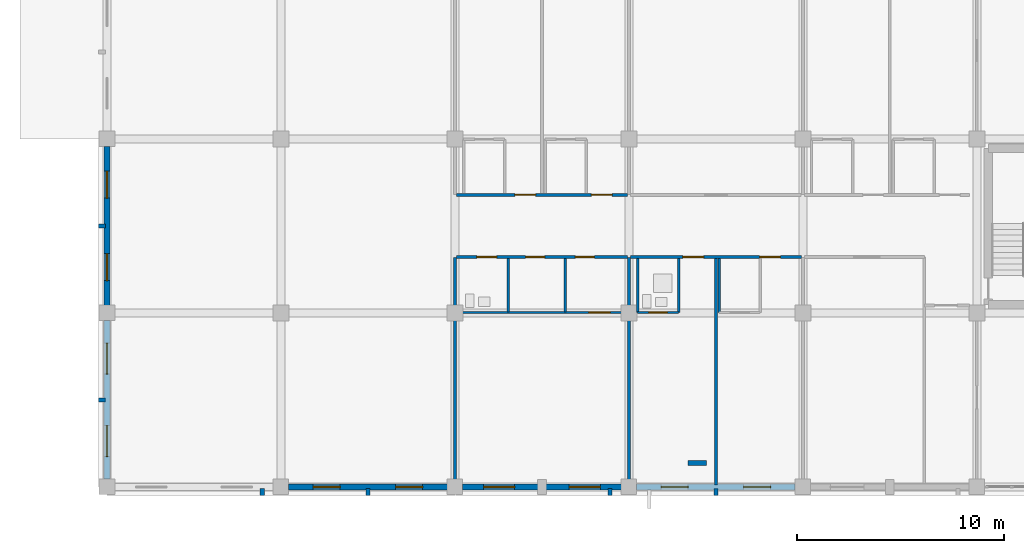
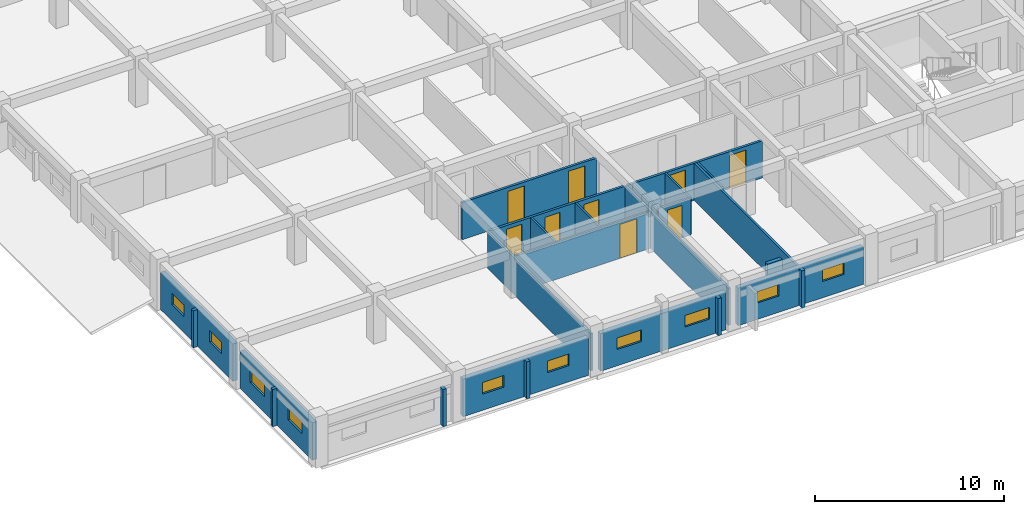
# One storey, part 162 of 200: 25 walls, 10 windows, 9 doors, 19 openings.
"""IFC4 building model written with IfcOpenShell, lengths in metres."""

from ifc_helpers import new_model, si_unit, direction, frame, frame_2d, origin, place, context, subcontext, project, spatial, rectangle, extrude, material, layer, layer_set, type_object, element, fill, save


model = new_model("IFC4")

# Units and contexts
model_context = context("Model", 3, precision=1e-05, world=origin(), true_north=direction((0.0, 1.0)))
body_context = subcontext(model_context, "Body", "Model", "MODEL_VIEW")
ifc_project = project(units=[si_unit("LENGTHUNIT", "METRE"), si_unit("AREAUNIT", "SQUARE_METRE"), si_unit("VOLUMEUNIT", "CUBIC_METRE"), si_unit("PLANEANGLEUNIT", "RADIAN"), si_unit("MASSUNIT", "GRAM", prefix="KILO")], contexts=[model_context])

# Site, building, storey
site_placement = place(None, origin())
site = spatial("IfcSite", under=ifc_project, at=site_placement, CompositionType="ELEMENT")
building_placement = place(site_placement, origin())
building = spatial("IfcBuilding", under=site, at=building_placement, Name="Trelvath General Hospital", CompositionType="ELEMENT")
storey_placement = place(building_placement, frame((0.0, 0.0, 4.800048828125)))
storey = spatial("IfcBuildingStorey", under=building, at=storey_placement, Name="L01", CompositionType="ELEMENT", Elevation=4.800048828125)

# Walls
ifc_material_1 = material(Name="Precast concrete C40/50", Category="concrete")
ifc_layer_1 = layer(ifc_material_1, 0.199951171875)
ifc_layer_set_1 = layer_set([ifc_layer_1], Name="Precast concrete C40/50")
wall_type_1 = type_object("IfcWallType", Name="BriseSoleilRib 200", PredefinedType="ELEMENTEDWALL", material=ifc_layer_set_1)
for number, where, z_axis, x_axis, name in (
    (1, (7.493896484375, -0.074951171875, 0.0), (0.0, 0.0, 1.0), (0.0, -1.0, 0.0), "Precast Concrete Brise-Soleil Rib Fin L01-71"),
    (2, (-0.074951171875, 4.199951171875, 0.0), (0.0, 0.0, 1.0), (-1.0, 0.0, 0.0), "Precast Concrete Brise-Soleil Rib Fin L01-72"),
    (3, (-0.074951171875, 12.60009765625, 0.0), (0.0, 0.0, 1.0), (-1.0, 0.0, 0.0), "Precast Concrete Brise-Soleil Rib Fin L01-73"),
    (4, (12.60009765625, -0.074951171875, 0.0), (0.0, 0.0, 1.0), (0.0, -1.0, 0.0), "Precast Concrete Brise-Soleil Rib Fin L01-85"),
    (5, (24.293701171875, -0.074951171875, 0.0), (0.0, 0.0, 1.0), (0.0, -1.0, 0.0), "Precast Concrete Brise-Soleil Rib Fin L01-87"),
    (6, (29.39990234375, -0.074951171875, 0.0), (0.0, 0.0, 1.0), (0.0, -1.0, 0.0), "Precast Concrete Brise-Soleil Rib Fin L01-89"),
):
    element("IfcWall", number, at=place(storey_placement, frame(where, z_axis=z_axis, x_axis=x_axis)), inside=storey, type_object=wall_type_1, Name=name, PredefinedType="ELEMENTEDWALL", context=body_context, shape_type="SweptSolid", body=[
        extrude(rectangle(XDim=0.340087890625, YDim=0.199951171875, at=frame_2d((0.169921875, 0.0))), origin(), (0.0, 0.0, 1.0), 2.39990234375),
    ])

# Wall, openings, doors
ifc_material_2 = material(Name="Gypsum acoustic steel-stud partition", Category="steel")
ifc_layer_2 = layer(ifc_material_2, 0.14990234375)
ifc_layer_set_2 = layer_set([ifc_layer_2], Name="Gypsum acoustic steel-stud partition")
wall_type_2 = type_object("IfcWallType", Name="ClinicalPartition 150", PredefinedType="PARTITIONING", material=ifc_layer_set_2)
wall_1_placement = place(storey_placement, frame((16.8798828125, 11.10009765625, 0.0), z_axis=(0.0, 0.0, 1.0), x_axis=(1.0, 0.0, 0.0)))
wall_1 = element("IfcWall", 7, at=wall_1_placement, inside=storey, type_object=wall_type_2, Name="Corridor Partition L01-348", PredefinedType="PARTITIONING", context=body_context, shape_type="SweptSolid", body=[
    extrude(rectangle(XDim=8.240234375, YDim=0.14990234375, at=frame_2d((4.1201171875, 0.0))), origin(), (0.0, 0.0, 1.0), 2.39990234375),
])
opening_1_placement = place(wall_1_placement, frame((0.97998046875, 0.0, 0.0)))
opening_1 = element("IfcOpeningElement", 8, at=opening_1_placement, cuts=wall_1, Name="Opening D-1-0458", PredefinedType="OPENING", context=body_context, shape_type="SweptSolid", body=[
    extrude(rectangle(XDim=0.949951171875, YDim=2.14990234375, at=frame_2d((0.47509765625, 1.074951171875))), frame((0.0, 0.0849609375, 0.0), z_axis=(0.0, -1.0, 0.0), x_axis=(1.0, 0.0, 0.0)), (0.0, 0.0, 1.0), 0.169921875),
])
opening_2_placement = place(wall_1_placement, frame((3.330078125, 0.0, 0.0)))
opening_2 = element("IfcOpeningElement", 9, at=opening_2_placement, cuts=wall_1, Name="Opening D-1-0459", PredefinedType="OPENING", context=body_context, shape_type="SweptSolid", body=[
    extrude(rectangle(XDim=0.919921875, YDim=2.10009765625, at=frame_2d((0.4599609375, 1.050048828125))), frame((0.0, 0.0849609375, 0.0), z_axis=(0.0, -1.0, 0.0), x_axis=(1.0, 0.0, 0.0)), (0.0, 0.0, 1.0), 0.169921875),
])
opening_3_placement = place(wall_1_placement, frame((5.72998046875, 0.0, 0.0)))
opening_3 = element("IfcOpeningElement", 10, at=opening_3_placement, cuts=wall_1, Name="Opening D-1-0460", PredefinedType="OPENING", context=body_context, shape_type="SweptSolid", body=[
    extrude(rectangle(XDim=0.919921875, YDim=2.10009765625, at=frame_2d((0.4599609375, 1.050048828125))), frame((0.0, 0.0849609375, 0.0), z_axis=(0.0, -1.0, 0.0), x_axis=(1.0, 0.0, 0.0)), (0.0, 0.0, 1.0), 0.169921875),
])
ifc_material_3 = material(Name="Moisture-sealed timber leaf", Category="wood")
door_type_1 = type_object("IfcDoorType", Name="Door AccessibleWC 950x2150", OperationType="NOTDEFINED", PredefinedType="DOOR", material=ifc_material_3)
door_1_placement = place(opening_1_placement, origin())
door_1 = element("IfcDoor", 11, at=door_1_placement, inside=storey, type_object=door_type_1, Name="Accessible WC Door L01-458", OperationType="SINGLE_SWING_LEFT", OverallHeight=2.14990234375, OverallWidth=0.949951171875, PredefinedType="DOOR", context=body_context, shape_type="SweptSolid", body=[
    extrude(rectangle(XDim=0.949951171875, YDim=2.14990234375, at=frame_2d((0.47509765625, 1.074951171875))), frame((0.0, 0.02490234375, 0.0), z_axis=(0.0, -1.0, 0.0), x_axis=(1.0, 0.0, 0.0)), (0.0, 0.0, 1.0), 0.050048828125),
])
fill(opening_1, door_1)
ifc_material_4 = material(Name="Moisture-sealed timber leaf", Category="wood")
door_type_2 = type_object("IfcDoorType", Name="Door StaffWC 920x2100", OperationType="NOTDEFINED", PredefinedType="DOOR", material=ifc_material_4)
door_2_placement = place(opening_2_placement, origin())
door_2 = element("IfcDoor", 12, at=door_2_placement, inside=storey, type_object=door_type_2, Name="Public WC Door L01-459", OperationType="SINGLE_SWING_RIGHT", OverallHeight=2.10009765625, OverallWidth=0.919921875, PredefinedType="DOOR", context=body_context, shape_type="SweptSolid", body=[
    extrude(rectangle(XDim=0.919921875, YDim=2.10009765625, at=frame_2d((0.4599609375, 1.050048828125))), frame((0.0, 0.02490234375, 0.0), z_axis=(0.0, -1.0, 0.0), x_axis=(1.0, 0.0, 0.0)), (0.0, 0.0, 1.0), 0.050048828125),
])
fill(opening_2, door_2)
door_3_placement = place(opening_3_placement, origin())
door_3 = element("IfcDoor", 13, at=door_3_placement, inside=storey, type_object=door_type_2, Name="Staff WC Door L01-460", OperationType="SINGLE_SWING_LEFT", OverallHeight=2.10009765625, OverallWidth=0.919921875, PredefinedType="DOOR", context=body_context, shape_type="SweptSolid", body=[
    extrude(rectangle(XDim=0.919921875, YDim=2.10009765625, at=frame_2d((0.4599609375, 1.050048828125))), frame((0.0, 0.02490234375, 0.0), z_axis=(0.0, -1.0, 0.0), x_axis=(1.0, 0.0, 0.0)), (0.0, 0.0, 1.0), 0.050048828125),
])
fill(opening_3, door_3)

wall_2_placement = place(storey_placement, frame((25.1201171875, 14.10009765625, 0.0), z_axis=(0.0, 0.0, 1.0), x_axis=(-1.0, 0.0, 0.0)))
wall_2 = element("IfcWall", 14, at=wall_2_placement, inside=storey, type_object=wall_type_2, Name="Corridor Partition N L01-352", PredefinedType="PARTITIONING", context=body_context, shape_type="SweptSolid", body=[
    extrude(rectangle(XDim=8.240234375, YDim=0.14990234375, at=frame_2d((4.1201171875, 0.0))), origin(), (0.0, 0.0, 1.0), 2.39990234375),
])
opening_4_placement = place(wall_2_placement, frame((0.72998046875, 0.0, 0.0)))
opening_4 = element("IfcOpeningElement", 15, at=opening_4_placement, cuts=wall_2, Name="Opening D-1-0462", PredefinedType="OPENING", context=body_context, shape_type="SweptSolid", body=[
    extrude(rectangle(XDim=1.0, YDim=2.14990234375, at=frame_2d((0.5, 1.074951171875))), frame((0.0, 0.0849609375, 0.0), z_axis=(0.0, -1.0, 0.0), x_axis=(1.0, 0.0, 0.0)), (0.0, 0.0, 1.0), 0.169921875),
])
opening_5_placement = place(wall_2_placement, frame((4.429931640625, 0.0, 0.0)))
opening_5 = element("IfcOpeningElement", 16, at=opening_5_placement, cuts=wall_2, Name="Opening D-1-0463", PredefinedType="OPENING", context=body_context, shape_type="SweptSolid", body=[
    extrude(rectangle(XDim=1.0, YDim=2.14990234375, at=frame_2d((0.5, 1.074951171875))), frame((0.0, 0.0849609375, 0.0), z_axis=(0.0, -1.0, 0.0), x_axis=(1.0, 0.0, 0.0)), (0.0, 0.0, 1.0), 0.169921875),
])
ifc_material_5 = material(Name="Acoustic hospital timber leaf", Category="wood")
door_type_3 = type_object("IfcDoorType", Name="Door Consult 1000x2150", OperationType="NOTDEFINED", PredefinedType="DOOR", material=ifc_material_5)
door_4_placement = place(opening_4_placement, origin())
door_4 = element("IfcDoor", 17, at=door_4_placement, inside=storey, type_object=door_type_3, Name="Patient Room Door N L01-462", OperationType="SINGLE_SWING_LEFT", OverallHeight=2.14990234375, OverallWidth=1.0, PredefinedType="DOOR", context=body_context, shape_type="SweptSolid", body=[
    extrude(rectangle(XDim=1.0, YDim=2.14990234375, at=frame_2d((0.5, 1.074951171875))), frame((0.0, 0.02490234375, 0.0), z_axis=(0.0, -1.0, 0.0), x_axis=(1.0, 0.0, 0.0)), (0.0, 0.0, 1.0), 0.050048828125),
])
fill(opening_4, door_4)
door_5_placement = place(opening_5_placement, origin())
door_5 = element("IfcDoor", 18, at=door_5_placement, inside=storey, type_object=door_type_3, Name="Patient Room Door N L01-463", OperationType="SINGLE_SWING_LEFT", OverallHeight=2.14990234375, OverallWidth=1.0, PredefinedType="DOOR", context=body_context, shape_type="SweptSolid", body=[
    extrude(rectangle(XDim=1.0, YDim=2.14990234375, at=frame_2d((0.5, 1.074951171875))), frame((0.0, 0.02490234375, 0.0), z_axis=(0.0, -1.0, 0.0), x_axis=(1.0, 0.0, 0.0)), (0.0, 0.0, 1.0), 0.050048828125),
])
fill(opening_5, door_5)

wall_3_placement = place(storey_placement, frame((25.280029296875, 11.10009765625, 0.0), z_axis=(0.0, 0.0, 1.0), x_axis=(1.0, 0.0, 0.0)))
wall_3 = element("IfcWall", 19, at=wall_3_placement, inside=storey, type_object=wall_type_2, Name="Corridor Partition L01-362", PredefinedType="PARTITIONING", context=body_context, shape_type="SweptSolid", body=[
    extrude(rectangle(XDim=8.239990234375, YDim=0.14990234375, at=frame_2d((4.1201171875, 0.0))), origin(), (0.0, 0.0, 1.0), 2.39990234375),
])
opening_6_placement = place(wall_3_placement, frame((2.530029296875, 0.0, 0.0)))
opening_6 = element("IfcOpeningElement", 20, at=opening_6_placement, cuts=wall_3, Name="Opening D-1-0466", PredefinedType="OPENING", context=body_context, shape_type="SweptSolid", body=[
    extrude(rectangle(XDim=1.0, YDim=2.14990234375, at=frame_2d((0.5, 1.074951171875))), frame((0.0, 0.0849609375, 0.0), z_axis=(0.0, -1.0, 0.0), x_axis=(1.0, 0.0, 0.0)), (0.0, 0.0, 1.0), 0.169921875),
])
opening_7_placement = place(wall_3_placement, frame((6.22998046875, 0.0, 0.0)))
opening_7 = element("IfcOpeningElement", 21, at=opening_7_placement, cuts=wall_3, Name="Opening D-1-0467", PredefinedType="OPENING", context=body_context, shape_type="SweptSolid", body=[
    extrude(rectangle(XDim=1.0, YDim=2.14990234375, at=frame_2d((0.5, 1.074951171875))), frame((0.0, 0.0849609375, 0.0), z_axis=(0.0, -1.0, 0.0), x_axis=(1.0, 0.0, 0.0)), (0.0, 0.0, 1.0), 0.169921875),
])
door_6_placement = place(opening_6_placement, origin())
door_6 = element("IfcDoor", 22, at=door_6_placement, inside=storey, type_object=door_type_3, Name="Patient Room Door L01-466", OperationType="SINGLE_SWING_RIGHT", OverallHeight=2.14990234375, OverallWidth=1.0, PredefinedType="DOOR", context=body_context, shape_type="SweptSolid", body=[
    extrude(rectangle(XDim=1.0, YDim=2.14990234375, at=frame_2d((0.5, 1.074951171875))), frame((0.0, 0.02490234375, 0.0), z_axis=(0.0, -1.0, 0.0), x_axis=(1.0, 0.0, 0.0)), (0.0, 0.0, 1.0), 0.050048828125),
])
fill(opening_6, door_6)
door_7_placement = place(opening_7_placement, origin())
door_7 = element("IfcDoor", 23, at=door_7_placement, inside=storey, type_object=door_type_3, Name="Patient Room Door L01-467", OperationType="SINGLE_SWING_LEFT", OverallHeight=2.14990234375, OverallWidth=1.0, PredefinedType="DOOR", context=body_context, shape_type="SweptSolid", body=[
    extrude(rectangle(XDim=1.0, YDim=2.14990234375, at=frame_2d((0.5, 1.074951171875))), frame((0.0, 0.02490234375, 0.0), z_axis=(0.0, -1.0, 0.0), x_axis=(1.0, 0.0, 0.0)), (0.0, 0.0, 1.0), 0.050048828125),
])
fill(opening_7, door_7)

# Walls
ifc_material_6 = material(Name="Moisture-resistant tile partition")
ifc_layer_3 = layer(ifc_material_6, 0.110107421875)
ifc_layer_set_3 = layer_set([ifc_layer_3], Name="Moisture-resistant tile partition")
wall_type_3 = type_object("IfcWallType", Name="EnSuiteWetWall 110", PredefinedType="PARTITIONING", material=ifc_layer_set_3)
for number, where, z_axis, x_axis, name in (
    (24, (19.3798828125, 8.43994140625, 0.0), (0.0, 0.0, 1.0), (0.0, 1.0, 0.0), "WC Dividing Wall L01-349"),
    (25, (22.1201171875, 8.43994140625, 0.0), (0.0, 0.0, 1.0), (0.0, 1.0, 0.0), "WC Dividing Wall L01-350"),
):
    element("IfcWall", number, at=place(storey_placement, frame(where, z_axis=z_axis, x_axis=x_axis)), inside=storey, type_object=wall_type_3, Name=name, PredefinedType="PARTITIONING", context=body_context, shape_type="SweptSolid", body=[
        extrude(rectangle(XDim=2.590087890625, YDim=0.110107421875, at=frame_2d((1.294921875, 0.0))), origin(), (0.0, 0.0, 1.0), 2.39990234375),
    ])

# Wall, opening, door
wall_4_placement = place(storey_placement, frame((16.8798828125, 8.419921875, 0.0), z_axis=(0.0, 0.0, 1.0), x_axis=(1.0, 0.0, 0.0)))
wall_4 = element("IfcWall", 26, at=wall_4_placement, inside=storey, type_object=wall_type_3, Name="Nurse Station Partition L01-351", PredefinedType="PARTITIONING", context=body_context, shape_type="SweptSolid", body=[
    extrude(rectangle(XDim=8.240234375, YDim=0.110107421875, at=frame_2d((4.1201171875, 0.0))), origin(), (0.0, 0.0, 1.0), 2.39990234375),
])
opening_8_placement = place(wall_4_placement, frame((6.3798828125, 0.0, 0.0)))
opening_8 = element("IfcOpeningElement", 27, at=opening_8_placement, cuts=wall_4, Name="Opening D-1-0461", PredefinedType="OPENING", context=body_context, shape_type="SweptSolid", body=[
    extrude(rectangle(XDim=1.050048828125, YDim=2.199951171875, at=frame_2d((0.52490234375, 1.10009765625))), frame((0.0, 0.06494140625, 0.0), z_axis=(0.0, -1.0, 0.0), x_axis=(1.0, 0.0, 0.0)), (0.0, 0.0, 1.0), 0.130126953125),
])
ifc_material_7 = material(Name="Acoustic hospital timber leaf", Category="wood")
door_type_4 = type_object("IfcDoorType", Name="Door Consult 1050x2200", OperationType="NOTDEFINED", PredefinedType="DOOR", material=ifc_material_7)
door_8_placement = place(opening_8_placement, origin())
door_8 = element("IfcDoor", 28, at=door_8_placement, inside=storey, type_object=door_type_4, Name="Nurse Station Door L01-461", OperationType="SINGLE_SWING_RIGHT", OverallHeight=2.199951171875, OverallWidth=1.050048828125, PredefinedType="DOOR", context=body_context, shape_type="SweptSolid", body=[
    extrude(rectangle(XDim=1.050048828125, YDim=2.199951171875, at=frame_2d((0.52490234375, 1.10009765625))), frame((0.0, 0.02490234375, 0.0), z_axis=(0.0, -1.0, 0.0), x_axis=(1.0, 0.0, 0.0)), (0.0, 0.0, 1.0), 0.050048828125),
])
fill(opening_8, door_8)

# Walls
for number, where, z_axis, x_axis, name in (
    (29, (25.6201171875, 8.419921875, 0.0), (0.0, 0.0, 1.0), (0.0, 1.0, 0.0), "En-Suite W Wall L01-364"),
    (30, (27.60009765625, 8.419921875, 0.0), (0.0, 0.0, 1.0), (0.0, 1.0, 0.0), "En-Suite E Wall L01-365"),
):
    element("IfcWall", number, at=place(storey_placement, frame(where, z_axis=z_axis, x_axis=x_axis)), inside=storey, type_object=wall_type_3, Name=name, PredefinedType="PARTITIONING", context=body_context, shape_type="SweptSolid", body=[
        extrude(rectangle(XDim=2.610107421875, YDim=0.110107421875, at=frame_2d((1.30517578125, 0.0))), origin(), (0.0, 0.0, 1.0), 2.39990234375),
    ])

# Wall, opening, door
wall_5_placement = place(storey_placement, frame((25.6201171875, 8.419921875, 0.0), z_axis=(0.0, 0.0, 1.0), x_axis=(1.0, 0.0, 0.0)))
wall_5 = element("IfcWall", 31, at=wall_5_placement, inside=storey, type_object=wall_type_3, Name="En-Suite Bathroom Partition L01-366", PredefinedType="PARTITIONING", context=body_context, shape_type="SweptSolid", body=[
    extrude(rectangle(XDim=1.97998046875, YDim=0.110107421875, at=frame_2d((0.989990234375, 0.0))), origin(), (0.0, 0.0, 1.0), 2.39990234375),
])
opening_9_placement = place(wall_5_placement, frame((0.5400390625, 0.0, 0.0)))
opening_9 = element("IfcOpeningElement", 32, at=opening_9_placement, cuts=wall_5, Name="Opening D-1-0468", PredefinedType="OPENING", context=body_context, shape_type="SweptSolid", body=[
    extrude(rectangle(XDim=0.89990234375, YDim=2.10009765625, at=frame_2d((0.449951171875, 1.050048828125))), frame((0.0, 0.06494140625, 0.0), z_axis=(0.0, -1.0, 0.0), x_axis=(1.0, 0.0, 0.0)), (0.0, 0.0, 1.0), 0.130126953125),
])
ifc_material_8 = material(Name="Moisture-sealed timber leaf", Category="wood")
door_type_5 = type_object("IfcDoorType", Name="Door EnSuite 900x2100", OperationType="NOTDEFINED", PredefinedType="DOOR", material=ifc_material_8)
door_9_placement = place(opening_9_placement, origin())
door_9 = element("IfcDoor", 33, at=door_9_placement, inside=storey, type_object=door_type_5, Name="En-Suite Bathroom Door L01-468", OperationType="SINGLE_SWING_RIGHT", OverallHeight=2.10009765625, OverallWidth=0.89990234375, PredefinedType="DOOR", context=body_context, shape_type="SweptSolid", body=[
    extrude(rectangle(XDim=0.89990234375, YDim=2.10009765625, at=frame_2d((0.449951171875, 1.050048828125))), frame((0.0, 0.02490234375, 0.0), z_axis=(0.0, -1.0, 0.0), x_axis=(1.0, 0.0, 0.0)), (0.0, 0.0, 1.0), 0.050048828125),
])
fill(opening_9, door_9)

# Wall
wall_6_placement = place(storey_placement, frame((29.56005859375, 8.419921875, 0.0), z_axis=(0.0, 0.0, 1.0), x_axis=(0.0, 1.0, 0.0)))
element("IfcWall", 34, at=wall_6_placement, inside=storey, type_object=wall_type_3, Name="En-Suite W Wall L01-367", PredefinedType="PARTITIONING", context=body_context, shape_type="SweptSolid", body=[
    extrude(rectangle(XDim=2.610107421875, YDim=0.110107421875, at=frame_2d((1.30517578125, 0.0))), origin(), (0.0, 0.0, 1.0), 2.39990234375),
])

# Wall, openings, windows
ifc_material_9 = material(Name="Concrete C35/45", Category="concrete")
ifc_layer_4 = layer(ifc_material_9, 0.2900390625)
ifc_layer_set_4 = layer_set([ifc_layer_4], Name="Concrete C35/45")
wall_type_4 = type_object("IfcWallType", Name="ExtBushHammeredWall 290", PredefinedType="SOLIDWALL", material=ifc_layer_set_4)
wall_7_placement = place(storey_placement, frame((0.0, 0.3701171875, 0.0), z_axis=(0.0, 0.0, 1.0), x_axis=(0.0, 1.0, 0.0)))
wall_7 = element("IfcWall", 35, at=wall_7_placement, inside=storey, type_object=wall_type_4, Name="Exterior Concrete Wall L01-109", PredefinedType="SOLIDWALL", context=body_context, shape_type="SweptSolid", body=[
    extrude(rectangle(XDim=7.659912109375, YDim=0.2900390625, at=frame_2d((3.830078125, 0.0))), origin(), (0.0, 0.0, 1.0), 2.419921875),
])
opening_10_placement = place(wall_7_placement, frame((1.08837890625, 0.0, 1.050048828125)))
opening_10 = element("IfcOpeningElement", 36, at=opening_10_placement, cuts=wall_7, Name="Opening WN-1-151", PredefinedType="OPENING", context=body_context, shape_type="SweptSolid", body=[
    extrude(rectangle(XDim=1.5, YDim=0.75, at=frame_2d((0.75, 0.375))), frame((0.0, 0.155029296875, 0.0), z_axis=(0.0, -1.0, 0.0), x_axis=(1.0, 0.0, 0.0)), (0.0, 0.0, 1.0), 0.31005859375),
])
opening_11_placement = place(wall_7_placement, frame((5.071533203125, 0.0, 1.050048828125)))
opening_11 = element("IfcOpeningElement", 37, at=opening_11_placement, cuts=wall_7, Name="Opening WN-1-152", PredefinedType="OPENING", context=body_context, shape_type="SweptSolid", body=[
    extrude(rectangle(XDim=1.5, YDim=0.75, at=frame_2d((0.75, 0.375))), frame((0.0, 0.155029296875, 0.0), z_axis=(0.0, -1.0, 0.0), x_axis=(1.0, 0.0, 0.0)), (0.0, 0.0, 1.0), 0.31005859375),
])
ifc_material_10 = material(Name="Low-E laminated glass", Category="glass")
window_type_1 = type_object("IfcWindowType", Name="Window InterstitialVent 1500x750", PartitioningType="DOUBLE_PANEL_HORIZONTAL", PredefinedType="WINDOW", material=ifc_material_10)
window_1_placement = place(opening_10_placement, origin())
window_1 = element("IfcWindow", 38, at=window_1_placement, inside=storey, type_object=window_type_1, Name="Solar Reveal Window L01-151", OverallHeight=0.75, OverallWidth=1.5, PartitioningType="SINGLE_PANEL", PredefinedType="WINDOW", context=body_context, shape_type="SweptSolid", body=[
    extrude(rectangle(XDim=1.5, YDim=0.75, at=frame_2d((0.75, 0.375))), frame((0.0, 0.030029296875, 0.0), z_axis=(0.0, -1.0, 0.0), x_axis=(1.0, 0.0, 0.0)), (0.0, 0.0, 1.0), 0.06005859375),
])
fill(opening_10, window_1)
window_2_placement = place(opening_11_placement, origin())
window_2 = element("IfcWindow", 39, at=window_2_placement, inside=storey, type_object=window_type_1, Name="Solar Reveal Window L01-152", OverallHeight=0.75, OverallWidth=1.5, PartitioningType="SINGLE_PANEL", PredefinedType="WINDOW", context=body_context, shape_type="SweptSolid", body=[
    extrude(rectangle(XDim=1.5, YDim=0.75, at=frame_2d((0.75, 0.375))), frame((0.0, 0.030029296875, 0.0), z_axis=(0.0, -1.0, 0.0), x_axis=(1.0, 0.0, 0.0)), (0.0, 0.0, 1.0), 0.06005859375),
])
fill(opening_11, window_2)

wall_8_placement = place(storey_placement, frame((0.0, 8.77001953125, 0.0), z_axis=(0.0, 0.0, 1.0), x_axis=(0.0, 1.0, 0.0)))
wall_8 = element("IfcWall", 40, at=wall_8_placement, inside=storey, type_object=wall_type_4, Name="Exterior Concrete Wall L01-110", PredefinedType="SOLIDWALL", context=body_context, shape_type="SweptSolid", body=[
    extrude(rectangle(XDim=7.659912109375, YDim=0.2900390625, at=frame_2d((3.830078125, 0.0))), origin(), (0.0, 0.0, 1.0), 2.419921875),
])
opening_12_placement = place(wall_8_placement, frame((1.1884765625, 0.0, 1.050048828125)))
opening_12 = element("IfcOpeningElement", 41, at=opening_12_placement, cuts=wall_8, Name="Opening WN-1-153", PredefinedType="OPENING", context=body_context, shape_type="SweptSolid", body=[
    extrude(rectangle(XDim=1.300048828125, YDim=0.75, at=frame_2d((0.64990234375, 0.375))), frame((0.0, 0.155029296875, 0.0), z_axis=(0.0, -1.0, 0.0), x_axis=(1.0, 0.0, 0.0)), (0.0, 0.0, 1.0), 0.31005859375),
])
opening_13_placement = place(wall_8_placement, frame((5.171630859375, 0.0, 1.050048828125)))
opening_13 = element("IfcOpeningElement", 42, at=opening_13_placement, cuts=wall_8, Name="Opening WN-1-154", PredefinedType="OPENING", context=body_context, shape_type="SweptSolid", body=[
    extrude(rectangle(XDim=1.300048828125, YDim=0.75, at=frame_2d((0.64990234375, 0.375))), frame((0.0, 0.155029296875, 0.0), z_axis=(0.0, -1.0, 0.0), x_axis=(1.0, 0.0, 0.0)), (0.0, 0.0, 1.0), 0.31005859375),
])
ifc_material_11 = material(Name="Low-E laminated glass", Category="glass")
window_type_2 = type_object("IfcWindowType", Name="Window InterstitialVent 1300x750", PartitioningType="DOUBLE_PANEL_HORIZONTAL", PredefinedType="WINDOW", material=ifc_material_11)
window_3_placement = place(opening_12_placement, origin())
window_3 = element("IfcWindow", 43, at=window_3_placement, inside=storey, type_object=window_type_2, Name="Solar Reveal Window L01-153", OverallHeight=0.75, OverallWidth=1.300048828125, PartitioningType="SINGLE_PANEL", PredefinedType="WINDOW", context=body_context, shape_type="SweptSolid", body=[
    extrude(rectangle(XDim=1.300048828125, YDim=0.75, at=frame_2d((0.64990234375, 0.375))), frame((0.0, 0.030029296875, 0.0), z_axis=(0.0, -1.0, 0.0), x_axis=(1.0, 0.0, 0.0)), (0.0, 0.0, 1.0), 0.06005859375),
])
fill(opening_12, window_3)
window_4_placement = place(opening_13_placement, origin())
window_4 = element("IfcWindow", 44, at=window_4_placement, inside=storey, type_object=window_type_2, Name="Solar Reveal Window L01-154", OverallHeight=0.75, OverallWidth=1.300048828125, PartitioningType="SINGLE_PANEL", PredefinedType="WINDOW", context=body_context, shape_type="SweptSolid", body=[
    extrude(rectangle(XDim=1.300048828125, YDim=0.75, at=frame_2d((0.64990234375, 0.375))), frame((0.0, 0.030029296875, 0.0), z_axis=(0.0, -1.0, 0.0), x_axis=(1.0, 0.0, 0.0)), (0.0, 0.0, 1.0), 0.06005859375),
])
fill(opening_13, window_4)

wall_9_placement = place(storey_placement, frame((16.429931640625, 0.0, 0.0), z_axis=(0.0, 0.0, 1.0), x_axis=(-1.0, 0.0, 0.0)))
wall_9 = element("IfcWall", 45, at=wall_9_placement, inside=storey, type_object=wall_type_4, Name="Exterior Concrete Wall L01-124", PredefinedType="SOLIDWALL", context=body_context, shape_type="SweptSolid", body=[
    extrude(rectangle(XDim=7.659912109375, YDim=0.2900390625, at=frame_2d((3.830078125, 0.0))), origin(), (0.0, 0.0, 1.0), 2.419921875),
])
opening_14_placement = place(wall_9_placement, frame((1.1884765625, 0.0, 1.050048828125)))
opening_14 = element("IfcOpeningElement", 46, at=opening_14_placement, cuts=wall_9, Name="Opening WN-1-177", PredefinedType="OPENING", context=body_context, shape_type="SweptSolid", body=[
    extrude(rectangle(XDim=1.300048828125, YDim=0.75, at=frame_2d((0.64990234375, 0.375))), frame((0.0, 0.155029296875, 0.0), z_axis=(0.0, -1.0, 0.0), x_axis=(1.0, 0.0, 0.0)), (0.0, 0.0, 1.0), 0.31005859375),
])
opening_15_placement = place(wall_9_placement, frame((5.171630859375, 0.0, 1.050048828125)))
opening_15 = element("IfcOpeningElement", 47, at=opening_15_placement, cuts=wall_9, Name="Opening WN-1-178", PredefinedType="OPENING", context=body_context, shape_type="SweptSolid", body=[
    extrude(rectangle(XDim=1.300048828125, YDim=0.75, at=frame_2d((0.64990234375, 0.375))), frame((0.0, 0.155029296875, 0.0), z_axis=(0.0, -1.0, 0.0), x_axis=(1.0, 0.0, 0.0)), (0.0, 0.0, 1.0), 0.31005859375),
])
window_5_placement = place(opening_14_placement, origin())
window_5 = element("IfcWindow", 48, at=window_5_placement, inside=storey, type_object=window_type_2, Name="Solar Reveal Window L01-177", OverallHeight=0.75, OverallWidth=1.300048828125, PartitioningType="SINGLE_PANEL", PredefinedType="WINDOW", context=body_context, shape_type="SweptSolid", body=[
    extrude(rectangle(XDim=1.300048828125, YDim=0.75, at=frame_2d((0.64990234375, 0.375))), frame((0.0, 0.030029296875, 0.0), z_axis=(0.0, -1.0, 0.0), x_axis=(1.0, 0.0, 0.0)), (0.0, 0.0, 1.0), 0.06005859375),
])
fill(opening_14, window_5)
window_6_placement = place(opening_15_placement, origin())
window_6 = element("IfcWindow", 49, at=window_6_placement, inside=storey, type_object=window_type_2, Name="Solar Reveal Window L01-178", OverallHeight=0.75, OverallWidth=1.300048828125, PartitioningType="SINGLE_PANEL", PredefinedType="WINDOW", context=body_context, shape_type="SweptSolid", body=[
    extrude(rectangle(XDim=1.300048828125, YDim=0.75, at=frame_2d((0.64990234375, 0.375))), frame((0.0, 0.030029296875, 0.0), z_axis=(0.0, -1.0, 0.0), x_axis=(1.0, 0.0, 0.0)), (0.0, 0.0, 1.0), 0.06005859375),
])
fill(opening_15, window_6)

wall_10_placement = place(storey_placement, frame((24.830078125, 0.0, 0.0), z_axis=(0.0, 0.0, 1.0), x_axis=(-1.0, 0.0, 0.0)))
wall_10 = element("IfcWall", 50, at=wall_10_placement, inside=storey, type_object=wall_type_4, Name="Exterior Concrete Wall L01-126", PredefinedType="SOLIDWALL", context=body_context, shape_type="SweptSolid", body=[
    extrude(rectangle(XDim=7.66015625, YDim=0.2900390625, at=frame_2d((3.830078125, 0.0))), origin(), (0.0, 0.0, 1.0), 2.419921875),
])
opening_16_placement = place(wall_10_placement, frame((1.01171875, 0.0, 1.050048828125)))
opening_16 = element("IfcOpeningElement", 51, at=opening_16_placement, cuts=wall_10, Name="Opening WN-1-181", PredefinedType="OPENING", context=body_context, shape_type="SweptSolid", body=[
    extrude(rectangle(XDim=1.5, YDim=0.75, at=frame_2d((0.75, 0.375))), frame((0.0, 0.155029296875, 0.0), z_axis=(0.0, -1.0, 0.0), x_axis=(1.0, 0.0, 0.0)), (0.0, 0.0, 1.0), 0.31005859375),
])
opening_17_placement = place(wall_10_placement, frame((5.148193359375, 0.0, 1.050048828125)))
opening_17 = element("IfcOpeningElement", 52, at=opening_17_placement, cuts=wall_10, Name="Opening WN-1-182", PredefinedType="OPENING", context=body_context, shape_type="SweptSolid", body=[
    extrude(rectangle(XDim=1.5, YDim=0.75, at=frame_2d((0.75, 0.375))), frame((0.0, 0.155029296875, 0.0), z_axis=(0.0, -1.0, 0.0), x_axis=(1.0, 0.0, 0.0)), (0.0, 0.0, 1.0), 0.31005859375),
])
window_7_placement = place(opening_16_placement, origin())
window_7 = element("IfcWindow", 53, at=window_7_placement, inside=storey, type_object=window_type_1, Name="Solar Reveal Window L01-181", OverallHeight=0.75, OverallWidth=1.5, PartitioningType="SINGLE_PANEL", PredefinedType="WINDOW", context=body_context, shape_type="SweptSolid", body=[
    extrude(rectangle(XDim=1.5, YDim=0.75, at=frame_2d((0.75, 0.375))), frame((0.0, 0.030029296875, 0.0), z_axis=(0.0, -1.0, 0.0), x_axis=(1.0, 0.0, 0.0)), (0.0, 0.0, 1.0), 0.06005859375),
])
fill(opening_16, window_7)
window_8_placement = place(opening_17_placement, origin())
window_8 = element("IfcWindow", 54, at=window_8_placement, inside=storey, type_object=window_type_1, Name="Solar Reveal Window L01-182", OverallHeight=0.75, OverallWidth=1.5, PartitioningType="SINGLE_PANEL", PredefinedType="WINDOW", context=body_context, shape_type="SweptSolid", body=[
    extrude(rectangle(XDim=1.5, YDim=0.75, at=frame_2d((0.75, 0.375))), frame((0.0, 0.030029296875, 0.0), z_axis=(0.0, -1.0, 0.0), x_axis=(1.0, 0.0, 0.0)), (0.0, 0.0, 1.0), 0.06005859375),
])
fill(opening_17, window_8)

wall_11_placement = place(storey_placement, frame((33.22998046875, 0.0, 0.0), z_axis=(0.0, 0.0, 1.0), x_axis=(-1.0, 0.0, 0.0)))
wall_11 = element("IfcWall", 55, at=wall_11_placement, inside=storey, type_object=wall_type_4, Name="Exterior Concrete Wall L01-128", PredefinedType="SOLIDWALL", context=body_context, shape_type="SweptSolid", body=[
    extrude(rectangle(XDim=7.659912109375, YDim=0.2900390625, at=frame_2d((3.830078125, 0.0))), origin(), (0.0, 0.0, 1.0), 2.419921875),
])
opening_18_placement = place(wall_11_placement, frame((1.1884765625, 0.0, 1.050048828125)))
opening_18 = element("IfcOpeningElement", 56, at=opening_18_placement, cuts=wall_11, Name="Opening WN-1-185", PredefinedType="OPENING", context=body_context, shape_type="SweptSolid", body=[
    extrude(rectangle(XDim=1.300048828125, YDim=0.75, at=frame_2d((0.64990234375, 0.375))), frame((0.0, 0.155029296875, 0.0), z_axis=(0.0, -1.0, 0.0), x_axis=(1.0, 0.0, 0.0)), (0.0, 0.0, 1.0), 0.31005859375),
])
opening_19_placement = place(wall_11_placement, frame((5.171630859375, 0.0, 1.050048828125)))
opening_19 = element("IfcOpeningElement", 57, at=opening_19_placement, cuts=wall_11, Name="Opening WN-1-186", PredefinedType="OPENING", context=body_context, shape_type="SweptSolid", body=[
    extrude(rectangle(XDim=1.300048828125, YDim=0.75, at=frame_2d((0.64990234375, 0.375))), frame((0.0, 0.155029296875, 0.0), z_axis=(0.0, -1.0, 0.0), x_axis=(1.0, 0.0, 0.0)), (0.0, 0.0, 1.0), 0.31005859375),
])
window_9_placement = place(opening_18_placement, origin())
window_9 = element("IfcWindow", 58, at=window_9_placement, inside=storey, type_object=window_type_2, Name="Solar Reveal Window L01-185", OverallHeight=0.75, OverallWidth=1.300048828125, PartitioningType="SINGLE_PANEL", PredefinedType="WINDOW", context=body_context, shape_type="SweptSolid", body=[
    extrude(rectangle(XDim=1.300048828125, YDim=0.75, at=frame_2d((0.64990234375, 0.375))), frame((0.0, 0.030029296875, 0.0), z_axis=(0.0, -1.0, 0.0), x_axis=(1.0, 0.0, 0.0)), (0.0, 0.0, 1.0), 0.06005859375),
])
fill(opening_18, window_9)
window_10_placement = place(opening_19_placement, origin())
window_10 = element("IfcWindow", 59, at=window_10_placement, inside=storey, type_object=window_type_2, Name="Solar Reveal Window L01-186", OverallHeight=0.75, OverallWidth=1.300048828125, PartitioningType="SINGLE_PANEL", PredefinedType="WINDOW", context=body_context, shape_type="SweptSolid", body=[
    extrude(rectangle(XDim=1.300048828125, YDim=0.75, at=frame_2d((0.64990234375, 0.375))), frame((0.0, 0.030029296875, 0.0), z_axis=(0.0, -1.0, 0.0), x_axis=(1.0, 0.0, 0.0)), (0.0, 0.0, 1.0), 0.06005859375),
])
fill(opening_19, window_10)

# Walls
ifc_material_12 = material(Name="Masonry service chase blockwork", Category="masonry")
ifc_layer_5 = layer(ifc_material_12, 0.239990234375)
ifc_layer_set_5 = layer_set([ifc_layer_5], Name="Masonry service chase blockwork")
wall_type_5 = type_object("IfcWallType", Name="PlumbingChaseWall 240", PredefinedType="PLUMBINGWALL", material=ifc_layer_set_5)
wall_12_placement = place(storey_placement, frame((28.050048828125, 1.14990234375, 0.0), z_axis=(0.0, 0.0, 1.0), x_axis=(1.0, 0.0, 0.0)))
element("IfcWall", 60, at=wall_12_placement, inside=storey, type_object=wall_type_5, Name="Medical Gas Plumbing Chase L01-370", PredefinedType="PLUMBINGWALL", context=body_context, shape_type="SweptSolid", body=[
    extrude(rectangle(XDim=0.89990234375, YDim=0.239990234375, at=frame_2d((0.449951171875, 0.0))), origin(), (0.0, 0.0, 1.0), 2.39990234375),
])
ifc_material_13 = material(Name="Gypsum acoustic steel-stud partition", Category="steel")
ifc_layer_6 = layer(ifc_material_13, 0.1298828125)
ifc_layer_set_6 = layer_set([ifc_layer_6], Name="Gypsum acoustic steel-stud partition")
wall_type_6 = type_object("IfcWallType", Name="WardPartition 130", PredefinedType="PARTITIONING", material=ifc_layer_set_6)
for number, where, z_axis, x_axis, name in (
    (61, (16.800048828125, 0.139892578125, 0.0), (0.0, 0.0, 1.0), (0.0, 1.0, 0.0), "Inter-Bay Ward Partition S L01-346"),
    (62, (25.199951171875, 0.139892578125, 0.0), (0.0, 0.0, 1.0), (0.0, 1.0, 0.0), "Inter-Bay Ward Partition S L01-360"),
):
    element("IfcWall", number, at=place(storey_placement, frame(where, z_axis=z_axis, x_axis=x_axis)), inside=storey, type_object=wall_type_6, Name=name, PredefinedType="PARTITIONING", context=body_context, shape_type="SweptSolid", body=[
        extrude(rectangle(XDim=10.940185546875, YDim=0.1298828125, at=frame_2d((5.47021484375, 0.0))), origin(), (0.0, 0.0, 1.0), 2.39990234375),
    ])
wall_13_placement = place(storey_placement, frame((29.39990234375, 0.10009765625, 0.0), z_axis=(0.0, 0.0, 1.0), x_axis=(0.0, 1.0, 0.0)))
element("IfcWall", 63, at=wall_13_placement, inside=storey, type_object=wall_type_6, Name="Room Dividing Partition S L01-363", PredefinedType="PARTITIONING", context=body_context, shape_type="SweptSolid", body=[
    extrude(rectangle(XDim=10.929931640625, YDim=0.1298828125, at=frame_2d((5.46484375, 0.0))), origin(), (0.0, 0.0, 1.0), 2.39990234375),
])

save(model, "model.ifc")
